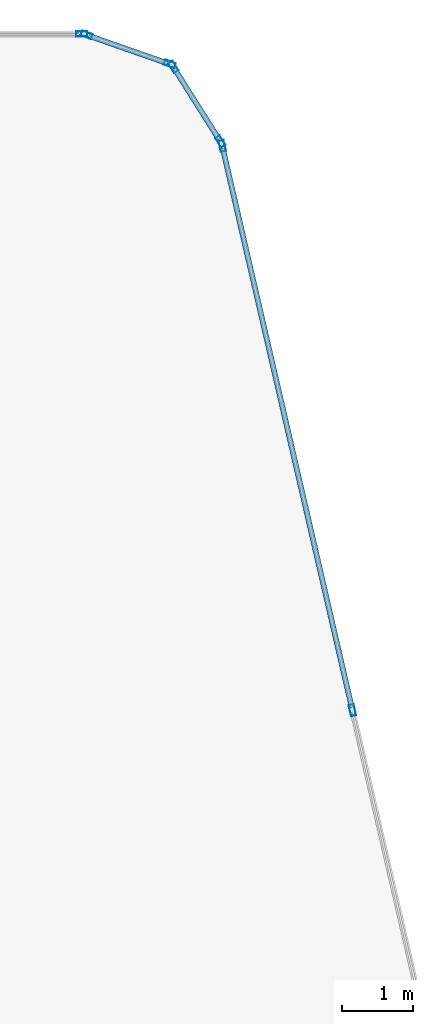
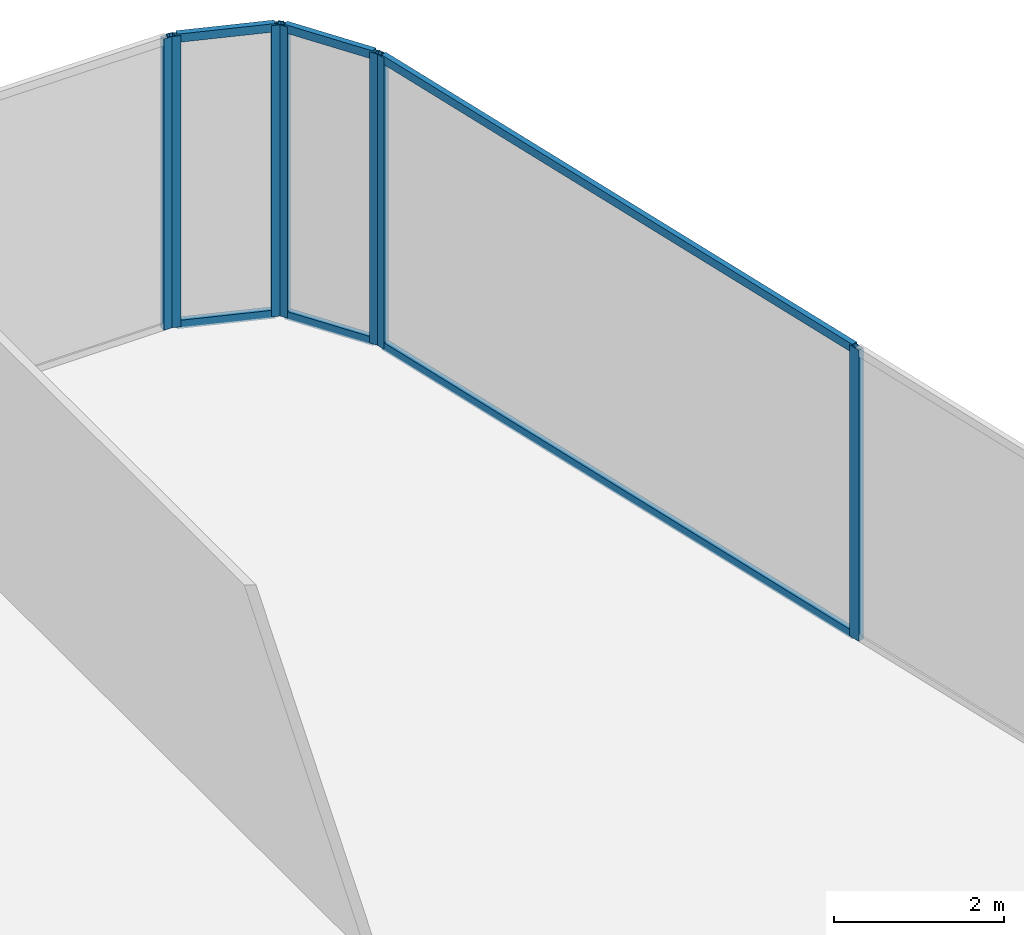
# One storey, part 18 of 24: 13 members, 4 elements without a shape of their own.
"""IFC4 building model written with IfcOpenShell, lengths in metres."""

from ifc_helpers import new_model, si_unit, direction, frame, origin, origin_2d, place, context, subcontext, project, spatial, hollow_rectangle, extrude, material, layer, layer_set, material_profile, profile_set, type_object, element, aggregate, save


model = new_model("IFC4")

# Units and contexts
model_context = context("Model", 3, precision=1e-05, world=origin(), true_north=direction((0.0, 1.0)))
body_context = subcontext(model_context, "Body", "Model", "MODEL_VIEW")
ifc_project = project(units=[si_unit("LENGTHUNIT", "METRE"), si_unit("AREAUNIT", "SQUARE_METRE"), si_unit("VOLUMEUNIT", "CUBIC_METRE"), si_unit("PLANEANGLEUNIT", "RADIAN"), si_unit("MASSUNIT", "GRAM", prefix="KILO")], contexts=[model_context])

# Site, building, storey
site_placement = place(None, origin())
site = spatial("IfcSite", under=ifc_project, at=site_placement, CompositionType="ELEMENT")
building_placement = place(site_placement, origin())
building = spatial("IfcBuilding", under=site, at=building_placement, Name="Keshet Zoharim Tower", CompositionType="ELEMENT")
storey_placement = place(building_placement, frame((0.0, 0.0, 299.10009765625)))
storey = spatial("IfcBuildingStorey", under=building, at=storey_placement, Name="L75", CompositionType="ELEMENT", Elevation=299.10009765625)

# Curtain wall, member
ifc_material = material(Name="Aluminium 6063-T6", Category="aluminium")
ifc_layer = layer(ifc_material, 0.260009765625)
ifc_layer_set = layer_set([ifc_layer], Name="Aluminium 6063-T6")
curtain_wall_type = type_object("IfcCurtainWallType", Name="CW-SYS-06", PredefinedType="NOTDEFINED", material=ifc_layer_set)
curtain_wall_1_placement = place(storey_placement, origin())
curtain_wall_1 = element("IfcCurtainWall", 1, at=curtain_wall_1_placement, inside=storey, type_object=curtain_wall_type, Name="L75 Unitised Curtain Wall 04 Part 5", PredefinedType="NOTDEFINED")
ifc_material_profile_1 = material_profile(ifc_material, hollow_rectangle(XDim=0.074951171875, YDim=0.159912109375, WallThickness=0.00390625, at=origin_2d()), Name="MUL-75x160")
ifc_profile_set_1 = profile_set([ifc_material_profile_1], Name="Aluminium 6063-T6")
member_type_1 = type_object("IfcMemberType", Name="CWM-M15", PredefinedType="MULLION", material=ifc_profile_set_1)
member_1_placement = place(storey_placement, frame((37.3740234375, 53.89990234375, 0.0), z_axis=(0.0, 0.0, 1.0), x_axis=(0.0, 1.0, 0.0)))
member_1 = element("IfcMember", 2, at=member_1_placement, type_object=member_type_1, Name="CW-06 mullion 2", PredefinedType="MULLION", context=body_context, shape_type="SweptSolid", body=[
    extrude(hollow_rectangle(XDim=0.074951171875, YDim=0.159912109375, WallThickness=0.00390625, at=origin_2d()), origin(), (0.0, 0.0, 1.0), 4.18994140625),
])
aggregate(curtain_wall_1, [member_1])

# Curtain wall, members
curtain_wall_2_placement = place(storey_placement, origin())
curtain_wall_2 = element("IfcCurtainWall", 3, at=curtain_wall_2_placement, inside=storey, type_object=curtain_wall_type, Name="L75 Unitised Curtain Wall 05", PredefinedType="NOTDEFINED")
member_2_placement = place(storey_placement, frame((37.442138671875, 53.888427734375, 0.0), z_axis=(0.0, 0.0, 1.0), x_axis=(0.329843743636, 0.944035542119, 0.0)))
member_2 = element("IfcMember", 4, at=member_2_placement, type_object=member_type_1, Name="CW-06 mullion 1", PredefinedType="MULLION", context=body_context, shape_type="SweptSolid", body=[
    extrude(hollow_rectangle(XDim=0.074951171875, YDim=0.159912109375, WallThickness=0.00390625, at=origin_2d()), origin(), (0.0, 0.0, 1.0), 4.18994140625),
])
member_3_placement = place(storey_placement, frame((38.620849609375, 53.4765625, 0.0), z_axis=(0.0, 0.0, 1.0), x_axis=(0.329843743636, 0.944035542119, 0.0)))
member_3 = element("IfcMember", 5, at=member_3_placement, type_object=member_type_1, Name="CW-06 mullion 2", PredefinedType="MULLION", context=body_context, shape_type="SweptSolid", body=[
    extrude(hollow_rectangle(XDim=0.074951171875, YDim=0.159912109375, WallThickness=0.00390625, at=origin_2d()), origin(), (0.0, 0.0, 1.0), 4.18994140625),
])

curtain_wall_3_placement = place(storey_placement, origin())
curtain_wall_3 = element("IfcCurtainWall", 6, at=curtain_wall_3_placement, inside=storey, type_object=curtain_wall_type, Name="L75 Unitised Curtain Wall 06", PredefinedType="NOTDEFINED")
member_4_placement = place(storey_placement, frame((38.672607421875, 53.435302734375, 0.0), z_axis=(0.0, 0.0, 1.0), x_axis=(0.845560976183, 0.533878858502, 0.0)))
member_4 = element("IfcMember", 7, at=member_4_placement, type_object=member_type_1, Name="CW-06 mullion 1", PredefinedType="MULLION", context=body_context, shape_type="SweptSolid", body=[
    extrude(hollow_rectangle(XDim=0.074951171875, YDim=0.159912109375, WallThickness=0.00390625, at=origin_2d()), origin(), (0.0, 0.0, 1.0), 4.18994140625),
])
member_5_placement = place(storey_placement, frame((39.33935546875, 52.379638671875, 0.0), z_axis=(0.0, 0.0, 1.0), x_axis=(0.845560976183, 0.533878858502, 0.0)))
member_5 = element("IfcMember", 8, at=member_5_placement, type_object=member_type_1, Name="CW-06 mullion 2", PredefinedType="MULLION", context=body_context, shape_type="SweptSolid", body=[
    extrude(hollow_rectangle(XDim=0.074951171875, YDim=0.159912109375, WallThickness=0.00390625, at=origin_2d()), origin(), (0.0, 0.0, 1.0), 4.18994140625),
])

curtain_wall_4_placement = place(storey_placement, origin())
curtain_wall_4 = element("IfcCurtainWall", 9, at=curtain_wall_4_placement, inside=storey, type_object=curtain_wall_type, Name="L75 Unitised Curtain Wall 07", PredefinedType="NOTDEFINED")
member_6_placement = place(storey_placement, frame((39.365966796875, 52.31591796875, 0.0), z_axis=(0.0, 0.0, 1.0), x_axis=(0.974398012932, 0.224829963294, 0.0)))
member_6 = element("IfcMember", 10, at=member_6_placement, type_object=member_type_1, Name="CW-06 mullion 1", PredefinedType="MULLION", context=body_context, shape_type="SweptSolid", body=[
    extrude(hollow_rectangle(XDim=0.074951171875, YDim=0.159912109375, WallThickness=0.00390625, at=origin_2d()), origin(), (0.0, 0.0, 1.0), 4.18994140625),
])
member_7_placement = place(storey_placement, frame((41.210693359375, 44.320556640625, 0.0), z_axis=(0.0, 0.0, 1.0), x_axis=(0.974398012932, 0.224829963294, 0.0)))
member_7 = element("IfcMember", 11, at=member_7_placement, type_object=member_type_1, Name="CW-06 mullion 2", PredefinedType="MULLION", context=body_context, shape_type="SweptSolid", body=[
    extrude(hollow_rectangle(XDim=0.074951171875, YDim=0.159912109375, WallThickness=0.00390625, at=origin_2d()), origin(), (0.0, 0.0, 1.0), 4.18994140625),
])

# Member
ifc_material_profile_2 = material_profile(ifc_material, hollow_rectangle(XDim=0.074951171875, YDim=0.1201171875, WallThickness=0.00390625, at=origin_2d()), Name="TRN-75x120")
ifc_profile_set_2 = profile_set([ifc_material_profile_2], Name="Aluminium 6063-T6")
member_type_2 = type_object("IfcMemberType", Name="CWT-T12", PredefinedType="USERDEFINED", material=ifc_profile_set_2)
member_8_placement = place(storey_placement, frame((37.47509765625, 53.876953125, 0.034912109375), z_axis=(0.944006789648, -0.329926023675, 0.0), x_axis=(0.329926023675, 0.944006789648, 0.0)))
member_8 = element("IfcMember", 12, at=member_8_placement, type_object=member_type_2, Name="CW-06 transom 1.1", ObjectType="TRANSOM", PredefinedType="USERDEFINED", context=body_context, shape_type="SweptSolid", body=[
    extrude(hollow_rectangle(XDim=0.074951171875, YDim=0.1201171875, WallThickness=0.00390625, at=origin_2d()), origin(), (0.0, 0.0, 1.0), 1.1787109375),
])

member_9_placement = place(storey_placement, frame((37.47509765625, 53.876953125, 4.15478515625), z_axis=(0.944006789648, -0.329926023675, 0.0), x_axis=(0.329926023675, 0.944006789648, 0.0)))
member_9 = element("IfcMember", 13, at=member_9_placement, type_object=member_type_2, Name="CW-06 transom 1.2", ObjectType="TRANSOM", PredefinedType="USERDEFINED", context=body_context, shape_type="SweptSolid", body=[
    extrude(hollow_rectangle(XDim=0.074951171875, YDim=0.1201171875, WallThickness=0.00390625, at=origin_2d()), origin(), (0.0, 0.0, 1.0), 1.1787109375),
])

aggregate(curtain_wall_2, [member_2, member_3, member_8, member_9])

member_10_placement = place(storey_placement, frame((38.69140625, 53.40576171875, 0.034912109375), z_axis=(0.53382931122, -0.845592257819, 0.0), x_axis=(0.845592257819, 0.53382931122, 0.0)))
member_10 = element("IfcMember", 14, at=member_10_placement, type_object=member_type_2, Name="CW-06 transom 1.1", ObjectType="TRANSOM", PredefinedType="USERDEFINED", context=body_context, shape_type="SweptSolid", body=[
    extrude(hollow_rectangle(XDim=0.074951171875, YDim=0.1201171875, WallThickness=0.00390625, at=origin_2d()), origin(), (0.0, 0.0, 1.0), 1.178466796875),
])

member_11_placement = place(storey_placement, frame((38.69140625, 53.40576171875, 4.15478515625), z_axis=(0.53382931122, -0.845592257819, 0.0), x_axis=(0.845592257819, 0.53382931122, 0.0)))
member_11 = element("IfcMember", 15, at=member_11_placement, type_object=member_type_2, Name="CW-06 transom 1.2", ObjectType="TRANSOM", PredefinedType="USERDEFINED", context=body_context, shape_type="SweptSolid", body=[
    extrude(hollow_rectangle(XDim=0.074951171875, YDim=0.1201171875, WallThickness=0.00390625, at=origin_2d()), origin(), (0.0, 0.0, 1.0), 1.178466796875),
])

aggregate(curtain_wall_3, [member_4, member_5, member_10, member_11])

member_12_placement = place(storey_placement, frame((39.373779296875, 52.28173828125, 0.034912109375), z_axis=(0.224835397421, -0.97439675906, 0.0), x_axis=(0.97439675906, 0.224835397421, 0.0)))
member_12 = element("IfcMember", 16, at=member_12_placement, type_object=member_type_2, Name="CW-06 transom 1.1", ObjectType="TRANSOM", PredefinedType="USERDEFINED", context=body_context, shape_type="SweptSolid", body=[
    extrude(hollow_rectangle(XDim=0.074951171875, YDim=0.1201171875, WallThickness=0.00390625, at=origin_2d()), origin(), (0.0, 0.0, 1.0), 8.13525390625),
])

member_13_placement = place(storey_placement, frame((39.373779296875, 52.28173828125, 4.15478515625), z_axis=(0.224835397421, -0.97439675906, 0.0), x_axis=(0.97439675906, 0.224835397421, 0.0)))
member_13 = element("IfcMember", 17, at=member_13_placement, type_object=member_type_2, Name="CW-06 transom 1.2", ObjectType="TRANSOM", PredefinedType="USERDEFINED", context=body_context, shape_type="SweptSolid", body=[
    extrude(hollow_rectangle(XDim=0.074951171875, YDim=0.1201171875, WallThickness=0.00390625, at=origin_2d()), origin(), (0.0, 0.0, 1.0), 8.13525390625),
])

aggregate(curtain_wall_4, [member_6, member_7, member_12, member_13])

save(model, "model.ifc")
